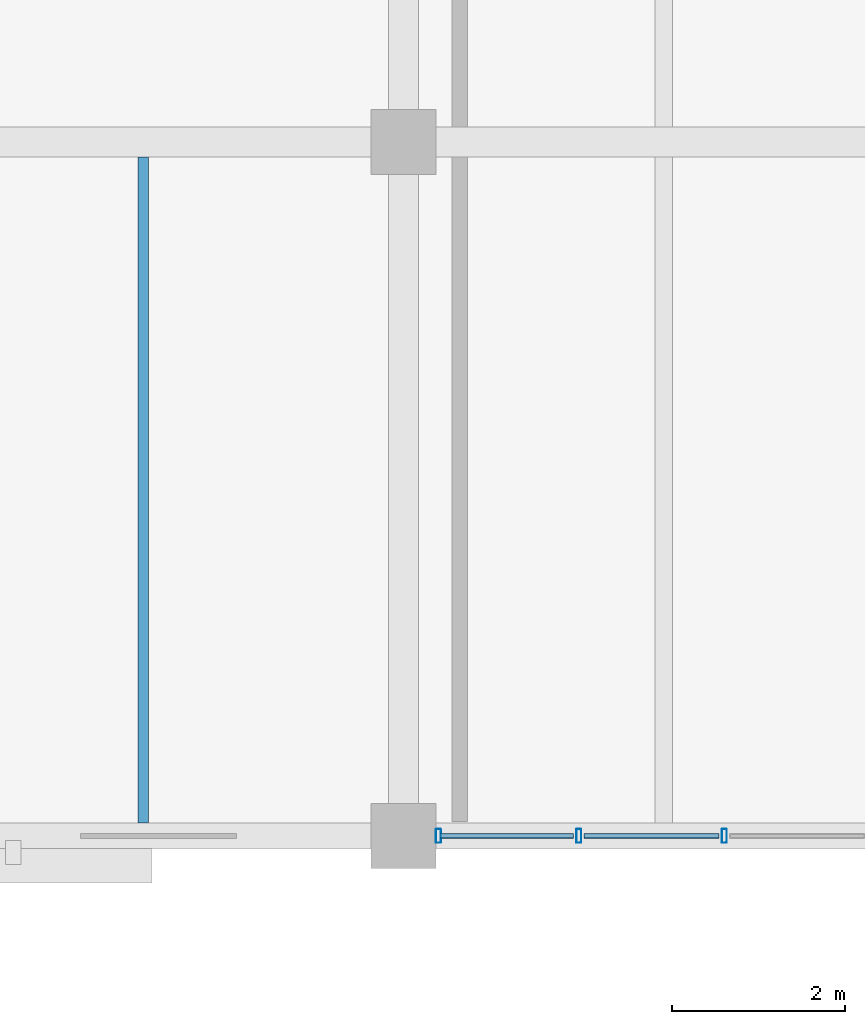
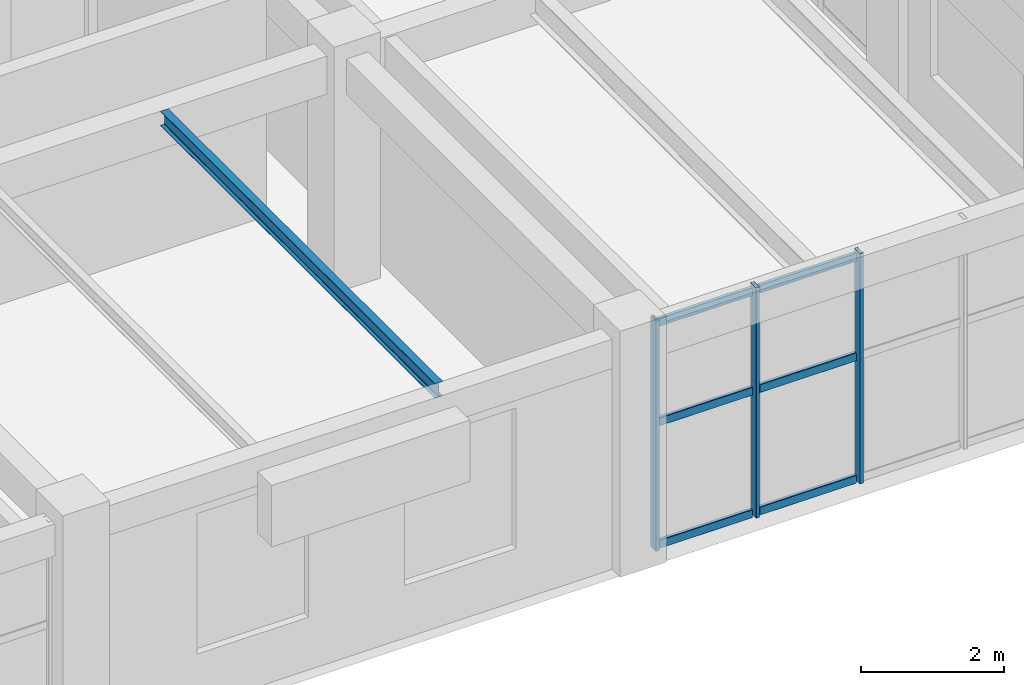
# One storey, part 73 of 128: 9 members, 1 beam, 1 element without a shape of its own.
"""IFC4 building model written with IfcOpenShell, lengths in metres."""

import ifcopenshell
import ifcopenshell.guid

model = None  # the IFC model being written
_history = None  # IfcOwnerHistory: only IFC2X3 demands one
_inside = {}  # id of a spatial element -> (the spatial element, [elements in it])
_under = {}  # id of a project, library or spatial element -> (it, [spatial elements below it])
_declared = {}  # id of a project -> (the project, [libraries it declares])
_typed = {}  # id of a type object -> (the type object, [elements of that type])
_made_of = {}  # id of a material, layer set ... -> (it, [elements and type objects made of it])


def new_model(schema):
    """Start an empty IFC model of exactly this schema.

    Asked for "IFC4X3", IfcOpenShell would pick the latest addendum, in which some entities
    have other attributes; the version numbers below select the first issue.
    IFC2X3 requires an IfcOwnerHistory on every rooted entity: one is made here for all.
    """
    global model, _history
    if schema == "IFC4X3":
        model = ifcopenshell.file(schema_version=(4, 3, 0, 0))
    else:
        model = ifcopenshell.file(schema=schema)
    _inside.clear()
    _under.clear()
    _declared.clear()
    _typed.clear()
    _made_of.clear()
    _history = None
    if model.schema == "IFC2X3":
        org = make("IfcOrganization", Name="unknown")
        user = make(
            "IfcPersonAndOrganization",
            ThePerson=make("IfcPerson", FamilyName="unknown"),
            TheOrganization=org,
        )
        app = make(
            "IfcApplication",
            ApplicationDeveloper=org,
            Version="unknown",
            ApplicationFullName="unknown",
            ApplicationIdentifier="unknown",
        )
        _history = make(
            "IfcOwnerHistory",
            OwningUser=user,
            OwningApplication=app,
            ChangeAction="ADDED",
            CreationDate=0,
        )
    return model


def make(cls, **values):
    """One entity of the class cls with the attributes given. An attribute that is None is left unset."""
    return model.create_entity(
        cls, **{name: value for name, value in values.items() if value is not None}
    )


def rooted(cls, **values):
    """An entity with a GlobalId (a new one), such as an element, a storey or a relation."""
    return make(cls, GlobalId=ifcopenshell.guid.new(), OwnerHistory=_history, **values)


def si_unit(unit_type, name, prefix=None):
    """IfcSIUnit, for example si_unit("LENGTHUNIT", "METRE", prefix="MILLI")."""
    return make("IfcSIUnit", UnitType=unit_type, Prefix=prefix, Name=name)


def derived_unit(unit_type, elements):
    """IfcDerivedUnit: a product of units, each with its exponent."""
    return make(
        "IfcDerivedUnit",
        Elements=[
            make("IfcDerivedUnitElement", Unit=unit, Exponent=power)
            for unit, power in elements
        ],
        UnitType=unit_type,
    )


def assignment(units):
    """IfcUnitAssignment: the units of a project."""
    return None if units is None else make("IfcUnitAssignment", Units=units)


def point(xyz):
    """IfcCartesianPoint."""
    return None if xyz is None else make("IfcCartesianPoint", Coordinates=xyz)


def direction(xyz):
    """IfcDirection."""
    return None if xyz is None else make("IfcDirection", DirectionRatios=xyz)


def frame(location, z_axis=None, x_axis=None):
    """IfcAxis2Placement3D, a coordinate frame: its origin and axes. An axis left out is left unset."""
    return make(
        "IfcAxis2Placement3D",
        Location=point(location),
        Axis=direction(z_axis),
        RefDirection=direction(x_axis),
    )


def frame_2d(location, x_axis=None):
    """IfcAxis2Placement2D, a coordinate frame in the plane: its origin and x axis."""
    return make(
        "IfcAxis2Placement2D", Location=point(location), RefDirection=direction(x_axis)
    )


def origin():
    """The frame at (0, 0, 0) with its axes left unset."""
    return frame((0.0, 0.0, 0.0))


def origin_2d():
    """The frame at (0, 0) in the plane with its x axis left unset."""
    return frame_2d((0.0, 0.0))


def place(relative_to, where):
    """IfcLocalPlacement: puts the frame where relative to a parent placement (None: the world)."""
    return make(
        "IfcLocalPlacement", PlacementRelTo=relative_to, RelativePlacement=where
    )


def context(
    kind, dimensions, precision=None, world=None, true_north=None, identifier=None
):
    """IfcGeometricRepresentationContext, for example the 3D "Model" context."""
    return make(
        "IfcGeometricRepresentationContext",
        ContextIdentifier=identifier,
        ContextType=kind,
        CoordinateSpaceDimension=dimensions,
        Precision=precision,
        WorldCoordinateSystem=world,
        TrueNorth=true_north,
    )


def subcontext(parent, identifier, kind, view, scale=None):
    """IfcGeometricRepresentationSubContext, for example "Body" below "Model"."""
    return make(
        "IfcGeometricRepresentationSubContext",
        ContextIdentifier=identifier,
        ContextType=kind,
        ParentContext=parent,
        TargetScale=scale,
        TargetView=view,
    )


def project(units=None, contexts=None):
    """IfcProject with its units and contexts."""
    return rooted(
        "IfcProject",
        Name="project",
        RepresentationContexts=contexts,
        UnitsInContext=assignment(units),
    )


def spatial(cls, under=None, at=None, **own):
    """A site, building, storey or space (cls), placed at a placement, below another one or the project."""
    s = rooted(cls, ObjectPlacement=at, **own)
    if under is not None:
        _under.setdefault(under.id(), (under, []))[1].append(s)
    return s


def profile(cls, at=None, kind="AREA", **sizes):
    """A parametric profile (cls). Its sizes go by their IFC names, for example OverallWidth=200.0."""
    return make(cls, ProfileType=kind, Position=at, **sizes)


def hollow_rectangle(**sizes):
    """IfcRectangleHollowProfileDef."""
    return profile("IfcRectangleHollowProfileDef", **sizes)


def i_section(**sizes):
    """IfcIShapeProfileDef."""
    return profile("IfcIShapeProfileDef", **sizes)


def extrude(swept, where, along, depth):
    """IfcExtrudedAreaSolid: the profile swept, set in the frame where, extruded along a direction by depth."""
    return make(
        "IfcExtrudedAreaSolid",
        SweptArea=swept,
        Position=where,
        ExtrudedDirection=direction(along),
        Depth=depth,
    )


def shape(context_of_items, identifier, shape_type, items):
    """IfcShapeRepresentation: the items that make up one representation, for example the "Body"."""
    return make(
        "IfcShapeRepresentation",
        ContextOfItems=context_of_items,
        RepresentationIdentifier=identifier,
        RepresentationType=shape_type,
        Items=items,
    )


def material(Name=None, Category=None):
    """IfcMaterial."""
    return make("IfcMaterial", Name=Name, Category=Category)


def material_profile(
    of_material, cross_section, Name=None, Category=None, Priority=None
):
    """IfcMaterialProfile: a cross section and its material."""
    return make(
        "IfcMaterialProfile",
        Name=Name,
        Material=of_material,
        Profile=cross_section,
        Priority=Priority,
        Category=Category,
    )


def profile_set(profiles, Name=None, composite=None):
    """IfcMaterialProfileSet."""
    return make(
        "IfcMaterialProfileSet",
        Name=Name,
        MaterialProfiles=profiles,
        CompositeProfile=composite,
    )


def made_of(thing, what):
    """Note that an element or type object is made of a material, layer set ...; save() writes the relation."""
    if what is not None:
        _made_of.setdefault(what.id(), (what, []))[1].append(thing)
    return thing


def type_object(cls, material=None, **own):
    """A type object (cls), such as IfcWallType, which elements share."""
    return made_of(rooted(cls, **own), material)


def element(
    cls,
    number,
    at=None,
    inside=None,
    cuts=None,
    type_object=None,
    material=None,
    context=None,
    identifier="Body",
    shape_type=None,
    held_by="IfcProductDefinitionShape",
    body=None,
    shapes=None,
    **own,
):
    """One element of the class cls, such as IfcWall. Its Tag is "e" and its number.

    at: its placement. inside: the storey or other place that contains it. cuts: it is an
    opening in that element (IfcRelVoidsElement). A single representation is given by context,
    identifier, shape_type and body (its items); several are given by shapes. held_by: the class
    of the entity that holds the representations. save() writes the other relations.
    """
    e = rooted(cls, Tag="e%d" % number, ObjectPlacement=at, **own)
    if body is not None:
        shapes = [shape(context, identifier, shape_type, body)]
    if shapes is not None:
        e.Representation = make(held_by, Representations=shapes)
    if inside is not None:
        _inside.setdefault(inside.id(), (inside, []))[1].append(e)
    if cuts is not None:
        rooted(
            "IfcRelVoidsElement", RelatingBuildingElement=cuts, RelatedOpeningElement=e
        )
    if type_object is not None:
        _typed.setdefault(type_object.id(), (type_object, []))[1].append(e)
    return made_of(e, material)


def aggregate(whole, parts):
    """IfcRelAggregates: a whole, such as a stair, and the parts it consists of."""
    return rooted("IfcRelAggregates", RelatingObject=whole, RelatedObjects=parts)


def save(model, path):
    """Write the relations noted so far, then the file.

    IfcRelAggregates (storeys below a building ...), IfcRelContainedInSpatialStructure (elements
    in a storey), IfcRelDefinesByType, IfcRelAssociatesMaterial and IfcRelDeclares: one each for
    every whole, place, type object, material and project.
    """
    for whole, parts in _under.values():
        aggregate(whole, parts)
    for where, things in _inside.values():
        rooted(
            "IfcRelContainedInSpatialStructure",
            RelatedElements=things,
            RelatingStructure=where,
        )
    for kind, things in _typed.values():
        rooted("IfcRelDefinesByType", RelatedObjects=things, RelatingType=kind)
    for what, things in _made_of.values():
        rooted("IfcRelAssociatesMaterial", RelatedObjects=things, RelatingMaterial=what)
    for by, libraries in _declared.values():
        rooted("IfcRelDeclares", RelatingContext=by, RelatedDefinitions=libraries)
    model.write(path)


model = new_model("IFC4")

# Units and contexts
model_context = context("Model", 3, precision=1e-05, world=origin(), true_north=direction((0.0, 1.0)))
body_context = subcontext(model_context, "Body", "Model", "MODEL_VIEW")
ifc_project = project(units=[si_unit("LENGTHUNIT", "METRE"), si_unit("AREAUNIT", "SQUARE_METRE"), si_unit("VOLUMEUNIT", "CUBIC_METRE"), si_unit("PLANEANGLEUNIT", "RADIAN"), si_unit("MASSUNIT", "GRAM", prefix="KILO"), derived_unit("THERMALTRANSMITTANCEUNIT", [(si_unit("MASSUNIT", "GRAM", prefix="KILO"), 1), (si_unit("TIMEUNIT", "SECOND"), -3), (si_unit("THERMODYNAMICTEMPERATUREUNIT", "KELVIN"), -1)])], contexts=[model_context])

# Site, building, storey
site_placement = place(None, origin())
site = spatial("IfcSite", under=ifc_project, at=site_placement, CompositionType="ELEMENT")
building_placement = place(site_placement, origin())
building = spatial("IfcBuilding", under=site, at=building_placement, Name="Zhenchuan Archway Interchange", CompositionType="ELEMENT")
storey_placement = place(building_placement, frame((0.0, 0.0, 14.39990234375)))
storey = spatial("IfcBuildingStorey", under=building, at=storey_placement, Name="L03", CompositionType="ELEMENT", Elevation=14.39990234375)

# Curtain wall, members
ifc_material_1 = material(Name="Anodised Aluminium", Category="aluminium")
curtain_wall_type = type_object("IfcCurtainWallType", Name="CW_UNIT_4", PredefinedType="NOTDEFINED", material=ifc_material_1)
curtain_wall_placement = place(storey_placement, origin())
curtain_wall = element("IfcCurtainWall", 1, at=curtain_wall_placement, inside=storey, type_object=curtain_wall_type, Name="Unitised curtain wall CW:L03:183", PredefinedType="NOTDEFINED")
ifc_material_profile_1 = material_profile(ifc_material_1, hollow_rectangle(XDim=0.06005859375, YDim=0.159912109375, WallThickness=0.00390625, InnerFilletRadius=0.00390625, OuterFilletRadius=0.008056640625, at=origin_2d()), Name="ALU 160x60x4")
ifc_profile_set_1 = profile_set([ifc_material_profile_1], Name="Anodised Aluminium")
member_type_1 = type_object("IfcMemberType", Name="CW_MUL_150", PredefinedType="MULLION", material=ifc_profile_set_1)
member_1_placement = place(storey_placement, frame((165.698486328125, 8.0, 0.0), z_axis=(0.0, 0.0, 1.0), x_axis=(1.0, 0.0, 0.0)))
member_1 = element("IfcMember", 2, at=member_1_placement, type_object=member_type_1, Name="CW:L03:183 mullion 3", PredefinedType="MULLION", context=body_context, shape_type="SweptSolid", body=[
    extrude(hollow_rectangle(XDim=0.06005859375, YDim=0.159912109375, WallThickness=0.00390625, InnerFilletRadius=0.00390625, OuterFilletRadius=0.008056640625, at=origin_2d()), origin(), (0.0, 0.0, 1.0), 3.93017578125),
])
member_2_placement = place(storey_placement, frame((164.020751953125, 8.0, 0.0), z_axis=(0.0, 0.0, 1.0), x_axis=(1.0, 0.0, 0.0)))
member_2 = element("IfcMember", 3, at=member_2_placement, type_object=member_type_1, Name="CW:L03:183 mullion 4", PredefinedType="MULLION", context=body_context, shape_type="SweptSolid", body=[
    extrude(hollow_rectangle(XDim=0.06005859375, YDim=0.159912109375, WallThickness=0.00390625, InnerFilletRadius=0.00390625, OuterFilletRadius=0.008056640625, at=origin_2d()), origin(), (0.0, 0.0, 1.0), 3.93017578125),
])
member_3_placement = place(storey_placement, frame((162.403076171875, 8.0, 0.0), z_axis=(0.0, 0.0, 1.0), x_axis=(1.0, 0.0, 0.0)))
member_3 = element("IfcMember", 4, at=member_3_placement, type_object=member_type_1, Name="CW:L03:183 mullion 5", PredefinedType="MULLION", context=body_context, shape_type="SweptSolid", body=[
    extrude(hollow_rectangle(XDim=0.06005859375, YDim=0.159912109375, WallThickness=0.00390625, InnerFilletRadius=0.00390625, OuterFilletRadius=0.008056640625, at=origin_2d()), origin(), (0.0, 0.0, 1.0), 3.93017578125),
])
ifc_material_profile_2 = material_profile(ifc_material_1, hollow_rectangle(XDim=0.06005859375, YDim=0.139892578125, WallThickness=0.00341796875, InnerFilletRadius=0.00341796875, OuterFilletRadius=0.007080078125, at=origin_2d()), Name="ALU 140x60x3.5")
ifc_profile_set_2 = profile_set([ifc_material_profile_2], Name="Anodised Aluminium")
member_type_2 = type_object("IfcMemberType", Name="CW_TRN_140", PredefinedType="USERDEFINED", material=ifc_profile_set_2)
member_4_placement = place(storey_placement, frame((165.638671875, 8.0, 0.06005859375), z_axis=(-1.0, 0.0, 0.0), x_axis=(0.0, -1.0, 0.0)))
member_4 = element("IfcMember", 5, at=member_4_placement, type_object=member_type_2, Name="CW:L03:183 transom 3-1", ObjectType="TRANSOM", PredefinedType="USERDEFINED", context=body_context, shape_type="SweptSolid", body=[
    extrude(hollow_rectangle(XDim=0.06005859375, YDim=0.139892578125, WallThickness=0.00341796875, InnerFilletRadius=0.00341796875, OuterFilletRadius=0.007080078125, at=origin_2d()), origin(), (0.0, 0.0, 1.0), 1.557861328125),
])
member_5_placement = place(storey_placement, frame((165.638671875, 8.0, 2.150634765625), z_axis=(-1.0, 0.0, 0.0), x_axis=(0.0, -1.0, 0.0)))
member_5 = element("IfcMember", 6, at=member_5_placement, type_object=member_type_2, Name="CW:L03:183 transom 3-2", ObjectType="TRANSOM", PredefinedType="USERDEFINED", context=body_context, shape_type="SweptSolid", body=[
    extrude(hollow_rectangle(XDim=0.06005859375, YDim=0.139892578125, WallThickness=0.00341796875, InnerFilletRadius=0.00341796875, OuterFilletRadius=0.007080078125, at=origin_2d()), origin(), (0.0, 0.0, 1.0), 1.557861328125),
])
member_6_placement = place(storey_placement, frame((165.638671875, 8.0, 3.85009765625), z_axis=(-1.0, 0.0, 0.0), x_axis=(0.0, -1.0, 0.0)))
member_6 = element("IfcMember", 7, at=member_6_placement, type_object=member_type_2, Name="CW:L03:183 transom 3-3", ObjectType="TRANSOM", PredefinedType="USERDEFINED", context=body_context, shape_type="SweptSolid", body=[
    extrude(hollow_rectangle(XDim=0.06005859375, YDim=0.139892578125, WallThickness=0.00341796875, InnerFilletRadius=0.00341796875, OuterFilletRadius=0.007080078125, at=origin_2d()), origin(), (0.0, 0.0, 1.0), 1.557861328125),
])
member_7_placement = place(storey_placement, frame((163.960693359375, 8.0, 0.06005859375), z_axis=(-1.0, 0.0, 0.0), x_axis=(0.0, -1.0, 0.0)))
member_7 = element("IfcMember", 8, at=member_7_placement, type_object=member_type_2, Name="CW:L03:183 transom 4-1", ObjectType="TRANSOM", PredefinedType="USERDEFINED", context=body_context, shape_type="SweptSolid", body=[
    extrude(hollow_rectangle(XDim=0.06005859375, YDim=0.139892578125, WallThickness=0.00341796875, InnerFilletRadius=0.00341796875, OuterFilletRadius=0.007080078125, at=origin_2d()), origin(), (0.0, 0.0, 1.0), 1.53759765625),
])
member_8_placement = place(storey_placement, frame((163.960693359375, 8.0, 2.150634765625), z_axis=(-1.0, 0.0, 0.0), x_axis=(0.0, -1.0, 0.0)))
member_8 = element("IfcMember", 9, at=member_8_placement, type_object=member_type_2, Name="CW:L03:183 transom 4-2", ObjectType="TRANSOM", PredefinedType="USERDEFINED", context=body_context, shape_type="SweptSolid", body=[
    extrude(hollow_rectangle(XDim=0.06005859375, YDim=0.139892578125, WallThickness=0.00341796875, InnerFilletRadius=0.00341796875, OuterFilletRadius=0.007080078125, at=origin_2d()), origin(), (0.0, 0.0, 1.0), 1.53759765625),
])
member_9_placement = place(storey_placement, frame((163.960693359375, 8.0, 3.85009765625), z_axis=(-1.0, 0.0, 0.0), x_axis=(0.0, -1.0, 0.0)))
member_9 = element("IfcMember", 10, at=member_9_placement, type_object=member_type_2, Name="CW:L03:183 transom 4-3", ObjectType="TRANSOM", PredefinedType="USERDEFINED", context=body_context, shape_type="SweptSolid", body=[
    extrude(hollow_rectangle(XDim=0.06005859375, YDim=0.139892578125, WallThickness=0.00341796875, InnerFilletRadius=0.00341796875, OuterFilletRadius=0.007080078125, at=origin_2d()), origin(), (0.0, 0.0, 1.0), 1.53759765625),
])
aggregate(curtain_wall, [member_1, member_2, member_3, member_4, member_5, member_6, member_7, member_8, member_9])

# Beam
ifc_material_2 = material(Name="Steel Q355", Category="steel")
ifc_material_profile_3 = material_profile(ifc_material_2, i_section(OverallWidth=0.125, OverallDepth=0.25, WebThickness=0.006103515625, FlangeThickness=0.009033203125, FilletRadius=0.011962890625, at=origin_2d()), Name="HN 250x125")
ifc_profile_set_3 = profile_set([ifc_material_profile_3], Name="Steel Q355")
beam_type = type_object("IfcBeamType", Name="JST_STL_HN250", PredefinedType="JOIST", material=ifc_profile_set_3)
beam_placement = place(storey_placement, frame((159.0, 8.14990234375, 3.80517578125), z_axis=(0.0, 1.0, 0.0), x_axis=(-1.0, 0.0, 0.0)))
element("IfcBeam", 11, at=beam_placement, inside=storey, type_object=beam_type, Name="Secondary joist 18-19/B-C #2 (L03)", PredefinedType="JOIST", context=body_context, shape_type="SweptSolid", body=[
    extrude(i_section(OverallWidth=0.125, OverallDepth=0.25, WebThickness=0.006103515625, FlangeThickness=0.009033203125, FilletRadius=0.011962890625, at=origin_2d()), origin(), (0.0, 0.0, 1.0), 7.675048828125),
])

save(model, "model.ifc")
